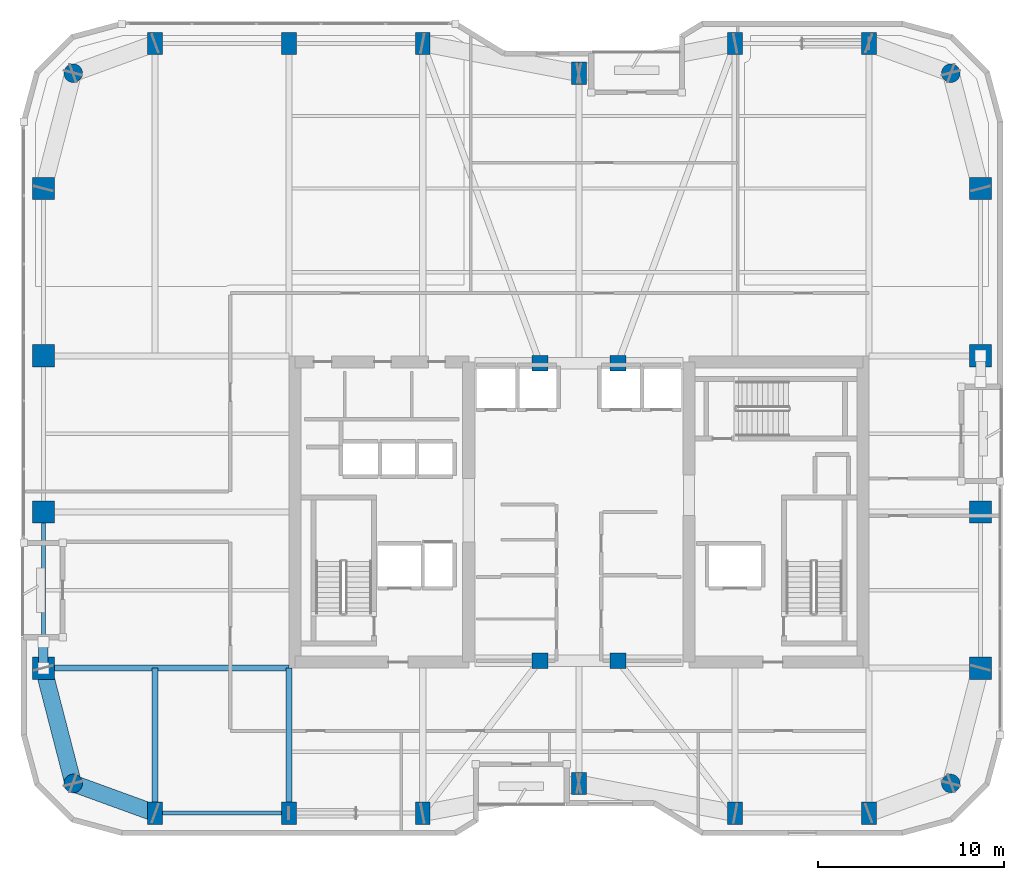
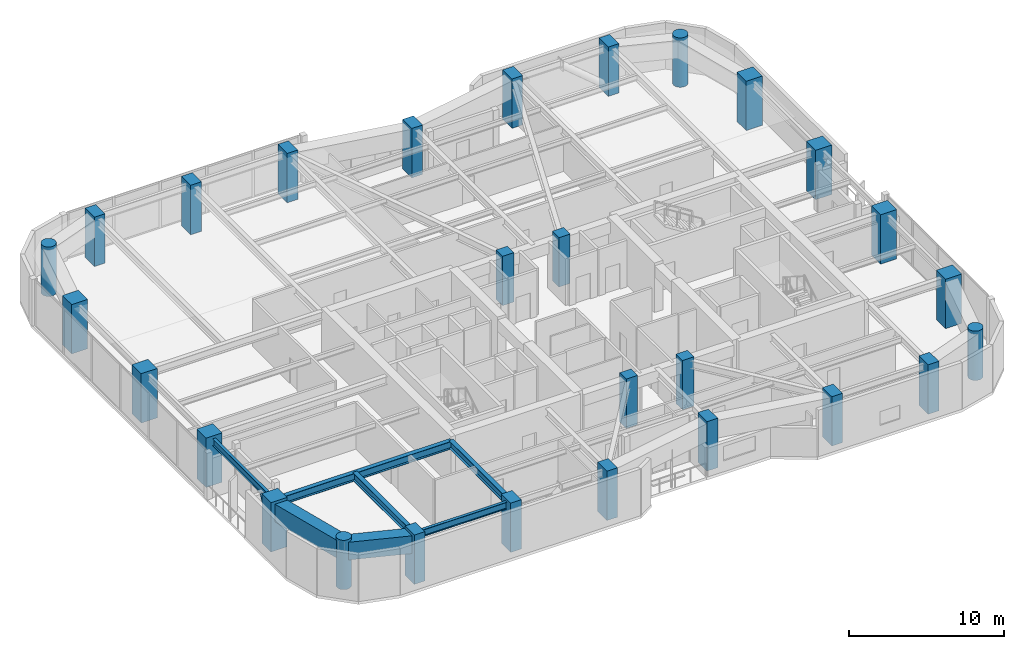
# One storey, part 1 of 30: 28 columns, 7 beams, 1 member.
"""IFC4 building model written with IfcOpenShell, lengths in metres."""

from ifc_helpers import new_model, si_unit, direction, frame, origin, origin_2d, place, context, subcontext, project, spatial, rectangle, hollow_rectangle, circle, hollow_circle, i_section, extrude, material, material_profile, profile_set, type_object, element, save


model = new_model("IFC4")

# Units and contexts
model_context = context("Model", 3, precision=1e-05, world=origin(), true_north=direction((0.0, 1.0)))
body_context = subcontext(model_context, "Body", "Model", "MODEL_VIEW")
ifc_project = project(units=[si_unit("LENGTHUNIT", "METRE"), si_unit("AREAUNIT", "SQUARE_METRE"), si_unit("VOLUMEUNIT", "CUBIC_METRE"), si_unit("PLANEANGLEUNIT", "RADIAN"), si_unit("MASSUNIT", "GRAM", prefix="KILO")], contexts=[model_context])

# Site, building, storey
site_placement = place(None, origin())
site = spatial("IfcSite", under=ifc_project, at=site_placement, CompositionType="ELEMENT")
building_placement = place(site_placement, origin())
building = spatial("IfcBuilding", under=site, at=building_placement, Name="Kiyonajd Concourse Tower", CompositionType="ELEMENT")
storey_placement = place(building_placement, frame((0.0, 0.0, 190.199951171875)))
storey = spatial("IfcBuildingStorey", under=building, at=storey_placement, Name="L48", CompositionType="ELEMENT", Elevation=190.199951171875)

# Columns
ifc_material_1 = material(Name="Concrete C70/85", Category="concrete")
ifc_material_profile_1 = material_profile(ifc_material_1, rectangle(XDim=0.800048828125, YDim=1.199951171875, at=origin_2d()), Name="RC-1200x800")
ifc_profile_set_1 = profile_set([ifc_material_profile_1], Name="Concrete C70/85")
column_type_1 = type_object("IfcColumnType", Name="CL-BLADE-1200", PredefinedType="COLUMN", material=ifc_profile_set_1)
for number, where, z_axis, x_axis, name in (
    (1, (25.199951171875, 19.800048828125, 0.0), (0.0, 0.0, 1.0), (1.0, 0.0, 0.0), "L48 Perimeter Bundled Tube Column"),
    (2, (25.199951171875, 61.199951171875, 0.0), (0.0, 0.0, 1.0), (1.0, 0.0, 0.0), "L48 Perimeter Bundled Tube Column"),
    (3, (32.39990234375, 19.800048828125, 0.0), (0.0, 0.0, 1.0), (1.0, 0.0, 0.0), "L48 Perimeter Bundled Tube Column"),
    (4, (32.39990234375, 61.199951171875, 0.0), (0.0, 0.0, 1.0), (1.0, 0.0, 0.0), "L48 Perimeter Bundled Tube Column"),
    (5, (39.60009765625, 19.800048828125, 0.0), (0.0, 0.0, 1.0), (1.0, 0.0, 0.0), "L48 Perimeter Bundled Tube Column"),
    (6, (39.60009765625, 61.199951171875, 0.0), (0.0, 0.0, 1.0), (1.0, 0.0, 0.0), "L48 Perimeter Bundled Tube Column"),
    (7, (48.0, 21.39990234375, 0.0), (0.0, 0.0, 1.0), (1.0, 0.0, 0.0), "L48 Perimeter Bundled Tube Column"),
    (8, (48.0, 59.60009765625, 0.0), (0.0, 0.0, 1.0), (1.0, 0.0, 0.0), "L48 Perimeter Bundled Tube Column"),
    (9, (56.39990234375, 19.800048828125, 0.0), (0.0, 0.0, 1.0), (1.0, 0.0, 0.0), "L48 Perimeter Bundled Tube Column"),
    (10, (56.39990234375, 61.199951171875, 0.0), (0.0, 0.0, 1.0), (1.0, 0.0, 0.0), "L48 Perimeter Bundled Tube Column"),
    (11, (63.60009765625, 19.800048828125, 0.0), (0.0, 0.0, 1.0), (1.0, 0.0, 0.0), "L48 Perimeter Bundled Tube Column"),
    (12, (63.60009765625, 61.199951171875, 0.0), (0.0, 0.0, 1.0), (1.0, 0.0, 0.0), "L48 Perimeter Bundled Tube Column"),
):
    element("IfcColumn", number, at=place(storey_placement, frame(where, z_axis=z_axis, x_axis=x_axis)), inside=storey, type_object=column_type_1, Name=name, PredefinedType="COLUMN", context=body_context, shape_type="SweptSolid", body=[
        extrude(rectangle(XDim=0.800048828125, YDim=1.199951171875, at=origin_2d()), origin(), (0.0, 0.0, 1.0), 3.900146484375),
    ])
ifc_material_2 = material(Name="Concrete C60/75", Category="concrete")
ifc_material_profile_2 = material_profile(ifc_material_2, circle(Radius=0.5, at=origin_2d()), Name="RCC-D1000")
ifc_profile_set_2 = profile_set([ifc_material_profile_2], Name="Concrete C60/75")
column_type_2 = type_object("IfcColumnType", Name="CL-RND-1000", PredefinedType="COLUMN", material=ifc_profile_set_2)
for number, where, z_axis, x_axis, name in (
    (13, (20.800048828125, 21.39990234375, 0.0), (0.0, 0.0, 1.0), (1.0, 0.0, 0.0), "L48 Bundled Tube Corner Column South West"),
    (14, (68.0, 21.39990234375, 0.0), (0.0, 0.0, 1.0), (1.0, 0.0, 0.0), "L48 Bundled Tube Corner Column South East"),
    (15, (68.0, 59.60009765625, 0.0), (0.0, 0.0, 1.0), (1.0, 0.0, 0.0), "L48 Bundled Tube Corner Column North East"),
    (16, (20.800048828125, 59.60009765625, 0.0), (0.0, 0.0, 1.0), (1.0, 0.0, 0.0), "L48 Bundled Tube Corner Column North West"),
):
    element("IfcColumn", number, at=place(storey_placement, frame(where, z_axis=z_axis, x_axis=x_axis)), inside=storey, type_object=column_type_2, Name=name, PredefinedType="COLUMN", context=body_context, shape_type="SweptSolid", body=[
        extrude(circle(Radius=0.5, at=origin_2d()), origin(), (0.0, 0.0, 1.0), 3.900146484375),
    ])
ifc_material_profile_3 = material_profile(ifc_material_1, rectangle(XDim=1.199951171875, YDim=1.199951171875, at=origin_2d()), Name="RC-1200x1200")
ifc_profile_set_3 = profile_set([ifc_material_profile_3], Name="Concrete C70/85")
column_type_3 = type_object("IfcColumnType", Name="CL-TUBE-1200", PredefinedType="COLUMN", material=ifc_profile_set_3)
for number, where, z_axis, x_axis, name in (
    (17, (19.199951171875, 27.60009765625, 0.0), (0.0, 0.0, 1.0), (1.0, 0.0, 0.0), "L48 Perimeter Bundled Tube Column"),
    (18, (69.60009765625, 27.60009765625, 0.0), (0.0, 0.0, 1.0), (1.0, 0.0, 0.0), "L48 Perimeter Bundled Tube Column"),
    (19, (19.199951171875, 36.0, 0.0), (0.0, 0.0, 1.0), (1.0, 0.0, 0.0), "L48 Perimeter Bundled Tube Column"),
    (20, (69.60009765625, 36.0, 0.0), (0.0, 0.0, 1.0), (1.0, 0.0, 0.0), "L48 Perimeter Bundled Tube Column"),
    (21, (19.199951171875, 44.39990234375, 0.0), (0.0, 0.0, 1.0), (1.0, 0.0, 0.0), "L48 Perimeter Bundled Tube Column"),
    (22, (69.60009765625, 44.39990234375, 0.0), (0.0, 0.0, 1.0), (1.0, 0.0, 0.0), "L48 Perimeter Bundled Tube Column"),
    (23, (19.199951171875, 53.39990234375, 0.0), (0.0, 0.0, 1.0), (1.0, 0.0, 0.0), "L48 Perimeter Bundled Tube Column"),
    (24, (69.60009765625, 53.39990234375, 0.0), (0.0, 0.0, 1.0), (1.0, 0.0, 0.0), "L48 Perimeter Bundled Tube Column"),
):
    element("IfcColumn", number, at=place(storey_placement, frame(where, z_axis=z_axis, x_axis=x_axis)), inside=storey, type_object=column_type_3, Name=name, PredefinedType="COLUMN", context=body_context, shape_type="SweptSolid", body=[
        extrude(rectangle(XDim=1.199951171875, YDim=1.199951171875, at=origin_2d()), origin(), (0.0, 0.0, 1.0), 3.900146484375),
    ])
ifc_material_profile_4 = material_profile(ifc_material_2, rectangle(XDim=0.85009765625, YDim=0.85009765625, at=origin_2d()), Name="RC-850x850")
ifc_profile_set_4 = profile_set([ifc_material_profile_4], Name="Concrete C60/75")
column_type_4 = type_object("IfcColumnType", Name="CL-TUBE-850", PredefinedType="COLUMN", material=ifc_profile_set_4)
for number, where, z_axis, x_axis, name in (
    (25, (45.89990234375, 28.0, 0.0), (0.0, 0.0, 1.0), (1.0, 0.0, 0.0), "L48 Core Tie Column South West"),
    (26, (50.10009765625, 28.0, 0.0), (0.0, 0.0, 1.0), (1.0, 0.0, 0.0), "L48 Core Tie Column South East"),
    (27, (45.89990234375, 44.0, 0.0), (0.0, 0.0, 1.0), (1.0, 0.0, 0.0), "L48 Core Tie Column North West"),
    (28, (50.10009765625, 44.0, 0.0), (0.0, 0.0, 1.0), (1.0, 0.0, 0.0), "L48 Core Tie Column North East"),
):
    element("IfcColumn", number, at=place(storey_placement, frame(where, z_axis=z_axis, x_axis=x_axis)), inside=storey, type_object=column_type_4, Name=name, PredefinedType="COLUMN", context=body_context, shape_type="SweptSolid", body=[
        extrude(rectangle(XDim=0.85009765625, YDim=0.85009765625, at=origin_2d()), origin(), (0.0, 0.0, 1.0), 3.900146484375),
    ])

# Beams
ifc_material_3 = material(Name="Steel ASTM A992 Grade 50", Category="steel")
ifc_material_profile_5 = material_profile(ifc_material_3, i_section(OverallWidth=0.214111328125, OverallDepth=0.549072265625, WebThickness=0.0146484375, FlangeThickness=0.023681640625, at=origin_2d()), Name="W530X138")
ifc_profile_set_5 = profile_set([ifc_material_profile_5], Name="Steel ASTM A992 Grade 50")
beam_type_1 = type_object("IfcBeamType", Name="BM-SPAN-530A", PredefinedType="SPANDREL", material=ifc_profile_set_5)
beam_1_placement = place(storey_placement, frame((25.199951171875, 19.800048828125, 3.405517578125), z_axis=(1.0, 0.0, 0.0), x_axis=(0.0, 1.0, 0.0)))
element("IfcBeam", 29, at=beam_1_placement, inside=storey, type_object=beam_type_1, Name="L48 Perimeter Bundled Tube Spandrel", PredefinedType="SPANDREL", context=body_context, shape_type="SweptSolid", body=[
    extrude(i_section(OverallWidth=0.214111328125, OverallDepth=0.549072265625, WebThickness=0.0146484375, FlangeThickness=0.023681640625, at=origin_2d()), origin(), (0.0, 0.0, 1.0), 7.199951171875),
])
beam_2_placement = place(storey_placement, frame((19.199951171875, 36.0, 3.405517578125), z_axis=(0.0, -1.0, 0.0), x_axis=(1.0, 0.0, 0.0)))
element("IfcBeam", 30, at=beam_2_placement, inside=storey, type_object=beam_type_1, Name="L48 Perimeter Bundled Tube Spandrel", PredefinedType="SPANDREL", context=body_context, shape_type="SweptSolid", body=[
    extrude(i_section(OverallWidth=0.214111328125, OverallDepth=0.549072265625, WebThickness=0.0146484375, FlangeThickness=0.023681640625, at=origin_2d()), origin(), (0.0, 0.0, 1.0), 8.39990234375),
])
ifc_material_profile_6 = material_profile(ifc_material_3, i_section(OverallWidth=0.326904296875, OverallDepth=0.6220703125, WebThickness=0.015380859375, FlangeThickness=0.0244140625, at=origin_2d()), Name="W610X195")
ifc_profile_set_6 = profile_set([ifc_material_profile_6], Name="Steel ASTM A992 Grade 50")
beam_type_2 = type_object("IfcBeamType", Name="BM-TWR-610A", PredefinedType="BEAM", material=ifc_profile_set_6)
for number, where, z_axis, x_axis, name in (
    (31, (25.199951171875, 19.800048828125, 3.369140625), (0.0, 1.0, 0.0), (-1.0, 0.0, 0.0), "L48 South Lease Girder"),
    (32, (32.39990234375, 19.800048828125, 3.369140625), (0.0, 1.0, 0.0), (-1.0, 0.0, 0.0), "L48 South Lease Girder"),
):
    element("IfcBeam", number, at=place(storey_placement, frame(where, z_axis=z_axis, x_axis=x_axis)), inside=storey, type_object=beam_type_2, Name=name, PredefinedType="BEAM", context=body_context, shape_type="SweptSolid", body=[
        extrude(i_section(OverallWidth=0.326904296875, OverallDepth=0.6220703125, WebThickness=0.015380859375, FlangeThickness=0.0244140625, at=origin_2d()), origin(), (0.0, 0.0, 1.0), 7.800048828125),
    ])
beam_3_placement = place(storey_placement, frame((19.199951171875, 27.60009765625, 3.369140625), z_axis=(1.0, 0.0, 0.0), x_axis=(0.0, 1.0, 0.0)))
element("IfcBeam", 33, at=beam_3_placement, inside=storey, type_object=beam_type_2, Name="L48 West Lease Girder", PredefinedType="BEAM", context=body_context, shape_type="SweptSolid", body=[
    extrude(i_section(OverallWidth=0.326904296875, OverallDepth=0.6220703125, WebThickness=0.015380859375, FlangeThickness=0.0244140625, at=origin_2d()), origin(), (0.0, 0.0, 1.0), 13.199951171875),
])
ifc_material_4 = material(Name="Steel ASTM A572 Grade 50", Category="steel")
ifc_material_profile_7 = material_profile(ifc_material_4, hollow_rectangle(XDim=0.89990234375, YDim=1.39990234375, WallThickness=0.070068359375, at=origin_2d()), Name="BOX-1400x900x70")
ifc_profile_set_7 = profile_set([ifc_material_profile_7], Name="Steel ASTM A572 Grade 50")
beam_type_3 = type_object("IfcBeamType", Name="BM-XFER-1400", PredefinedType="BEAM", material=ifc_profile_set_7)
beam_4_placement = place(storey_placement, frame((19.199951171875, 27.60009765625, 2.97998046875), z_axis=(0.249884937687, -0.968275538221, 0.0), x_axis=(0.968275538221, 0.249884937687, 0.0)))
element("IfcBeam", 34, at=beam_4_placement, inside=storey, type_object=beam_type_3, Name="L48 Perimeter Bundled Tube Spandrel", PredefinedType="BEAM", context=body_context, shape_type="SweptSolid", body=[
    extrude(hollow_rectangle(XDim=0.89990234375, YDim=1.39990234375, WallThickness=0.070068359375, at=origin_2d()), origin(), (0.0, 0.0, 1.0), 6.4033203125),
])
beam_5_placement = place(storey_placement, frame((20.800048828125, 21.39990234375, 2.97998046875), z_axis=(0.939801036019, -0.341722127901, 0.0), x_axis=(0.341722127901, 0.939801036019, 0.0)))
element("IfcBeam", 35, at=beam_5_placement, inside=storey, type_object=beam_type_3, Name="L48 Perimeter Bundled Tube Spandrel", PredefinedType="BEAM", context=body_context, shape_type="SweptSolid", body=[
    extrude(hollow_rectangle(XDim=0.89990234375, YDim=1.39990234375, WallThickness=0.070068359375, at=origin_2d()), origin(), (0.0, 0.0, 1.0), 4.681640625),
])

# Member
ifc_material_5 = material(Name="Steel ASTM A500 Grade C", Category="steel")
ifc_material_profile_8 = material_profile(ifc_material_5, hollow_circle(Radius=0.25390625, WallThickness=0.02197265625, at=origin_2d()), Name="CHS-508x22")
ifc_profile_set_8 = profile_set([ifc_material_profile_8], Name="Steel ASTM A500 Grade C")
member_type = type_object("IfcMemberType", Name="MB-PB-MID", PredefinedType="BRACE", material=ifc_profile_set_8)
member_placement = place(storey_placement, frame((19.199951171875, 27.60009765625, 0.300048828125), z_axis=(0.0, 0.419410666774, 0.907796614114), x_axis=(-1.0, 0.0, 0.0)))
element("IfcMember", 36, at=member_placement, inside=storey, type_object=member_type, Name="L48 Upper Zone Hollow Tube Brace PBW", PredefinedType="BRACE", context=body_context, shape_type="SweptSolid", body=[
    extrude(hollow_circle(Radius=0.25390625, WallThickness=0.02197265625, at=origin_2d()), origin(), (0.0, 0.0, 1.0), 3.337890625),
])

save(model, "model.ifc")
